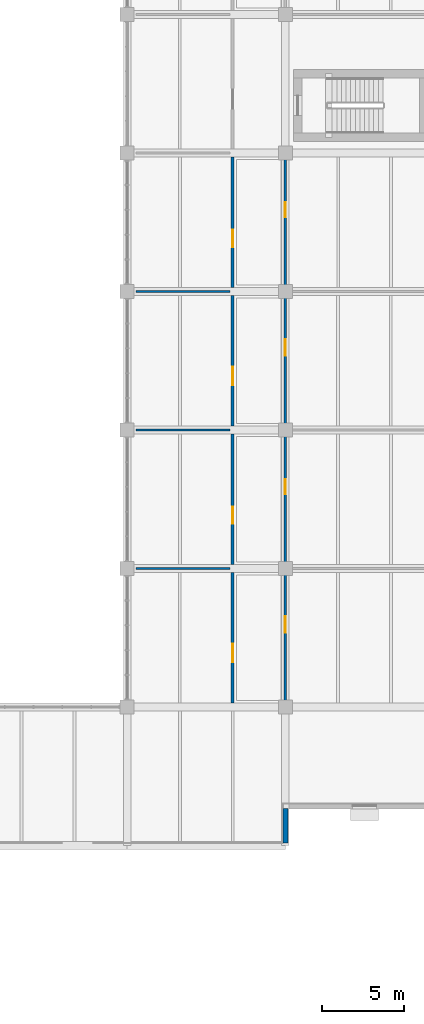
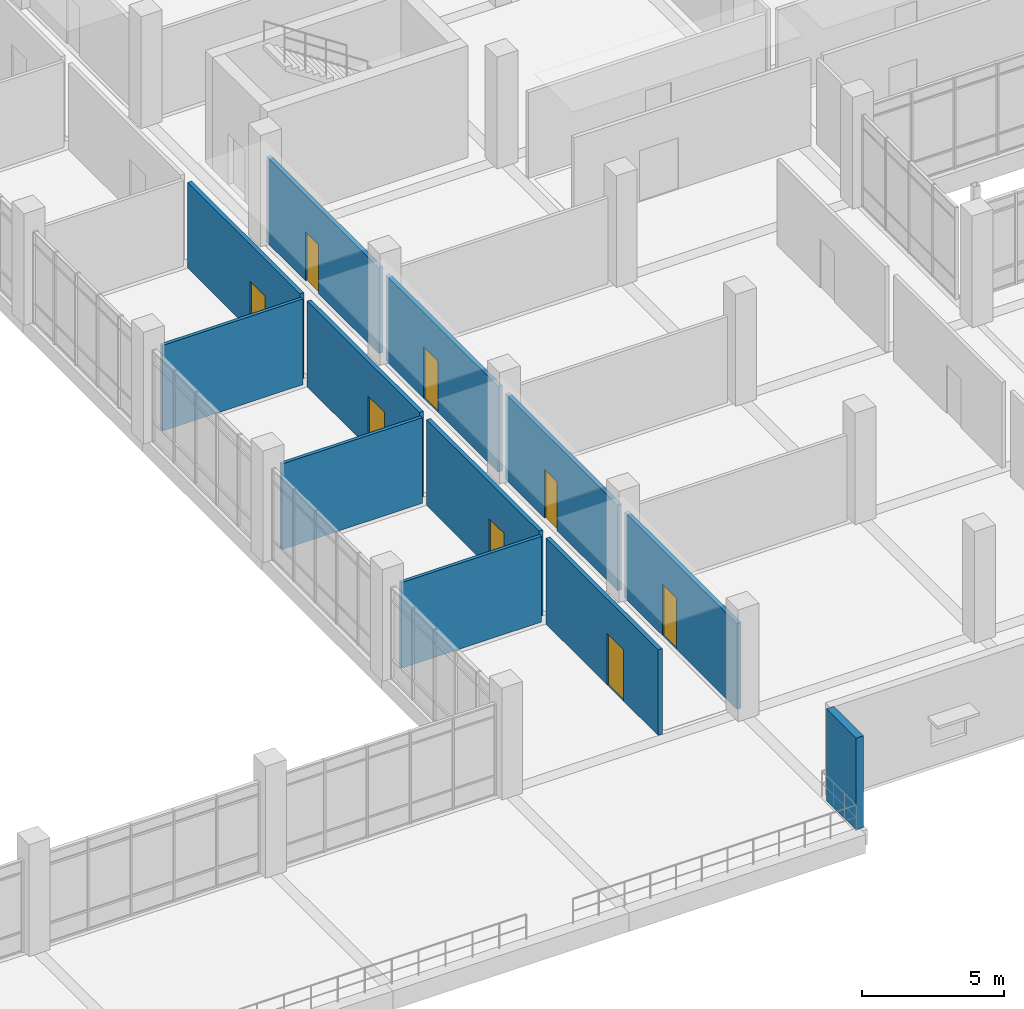
# One storey, part 121 of 152: 12 walls, 8 doors, 8 openings.
"""IFC4 building model written with IfcOpenShell, lengths in metres."""

from ifc_helpers import new_model, si_unit, direction, frame, frame_2d, origin, place, context, subcontext, project, spatial, rectangle, extrude, material, layer, layer_set, type_object, element, fill, save


model = new_model("IFC4")

# Units and contexts
model_context = context("Model", 3, precision=1e-05, world=origin(), true_north=direction((0.0, 1.0)))
body_context = subcontext(model_context, "Body", "Model", "MODEL_VIEW")
ifc_project = project(units=[si_unit("LENGTHUNIT", "METRE"), si_unit("AREAUNIT", "SQUARE_METRE"), si_unit("VOLUMEUNIT", "CUBIC_METRE"), si_unit("PLANEANGLEUNIT", "RADIAN"), si_unit("MASSUNIT", "GRAM", prefix="KILO")], contexts=[model_context])

# Site, building, storey
site_placement = place(None, origin())
site = spatial("IfcSite", under=ifc_project, at=site_placement, CompositionType="ELEMENT")
building_placement = place(site_placement, origin())
building = spatial("IfcBuilding", under=site, at=building_placement, Name="Oolite Switchyard Hospital", CompositionType="ELEMENT")
storey_placement = place(building_placement, frame((0.0, 0.0, 5.10009765625)))
storey = spatial("IfcBuildingStorey", under=building, at=storey_placement, Name="L01", CompositionType="ELEMENT", Elevation=5.10009765625)

# Walls
ifc_material_1 = material(Name="Precast oolitic limestone architectural concrete C40/50", Category="masonry")
ifc_layer_1 = layer(ifc_material_1, 0.300048828125)
ifc_layer_set_1 = layer_set([ifc_layer_1], Name="WAL-EXT-300")
wall_type_1 = type_object("IfcWallType", Name="WAL-EXT-300", PredefinedType="SOLIDWALL", material=ifc_layer_set_1)
wall_1_placement = place(storey_placement, frame((124.800048828125, 27.43994140625, 0.0), z_axis=(0.0, 0.0, 1.0), x_axis=(0.0, -1.0, 0.0)))
element("IfcWall", 1, at=wall_1_placement, inside=storey, type_object=wall_type_1, Name="L01 Exterior Spandrel Wall 113", PredefinedType="SOLIDWALL", context=body_context, shape_type="SweptSolid", body=[
    extrude(rectangle(XDim=2.079833984375, YDim=0.300048828125, at=frame_2d((1.0400390625, 0.0))), origin(), (0.0, 0.0, 1.0), 3.93994140625),
])
ifc_material_2 = material(Name="Moisture-resistant gypsum board on steel studs", Category="steel")
ifc_layer_2 = layer(ifc_material_2, 0.135009765625)
ifc_layer_set_2 = layer_set([ifc_layer_2], Name="WAL-PART-135")
wall_type_2 = type_object("IfcWallType", Name="WAL-PART-135", PredefinedType="PARTITIONING", material=ifc_layer_set_2)
for number, where, z_axis, x_axis, name in (
    (2, (115.75, 42.0, 0.0), (0.0, 0.0, 1.0), (1.0, 0.0, 0.0), "L01 Interior Partition 278"),
    (3, (115.75, 50.39990234375, 0.0), (0.0, 0.0, 1.0), (1.0, 0.0, 0.0), "L01 Interior Partition 282"),
    (4, (115.75, 58.800048828125, 0.0), (0.0, 0.0, 1.0), (1.0, 0.0, 0.0), "L01 Interior Partition 286"),
):
    element("IfcWall", number, at=place(storey_placement, frame(where, z_axis=z_axis, x_axis=x_axis)), inside=storey, type_object=wall_type_2, Name=name, PredefinedType="PARTITIONING", context=body_context, shape_type="SweptSolid", body=[
        extrude(rectangle(XDim=5.699951171875, YDim=0.135009765625, at=frame_2d((2.85009765625, 0.0))), origin(), (0.0, 0.0, 1.0), 3.679931640625),
    ])

# Wall, opening, door
ifc_layer_3 = layer(ifc_material_2, 0.1650390625)
ifc_layer_set_3 = layer_set([ifc_layer_3], Name="WAL-PART-165")
wall_type_3 = type_object("IfcWallType", Name="WAL-PART-165", PredefinedType="PARTITIONING", material=ifc_layer_set_3)
wall_2_placement = place(storey_placement, frame((121.60009765625, 33.85009765625, 0.0), z_axis=(0.0, 0.0, 1.0), x_axis=(0.0, 1.0, 0.0)))
wall_2 = element("IfcWall", 5, at=wall_2_placement, inside=storey, type_object=wall_type_3, Name="L01 Interior Partition 275", PredefinedType="PARTITIONING", context=body_context, shape_type="SweptSolid", body=[
    extrude(rectangle(XDim=7.89990234375, YDim=0.1650390625, at=frame_2d((3.949951171875, 0.0))), origin(), (0.0, 0.0, 1.0), 3.679931640625),
])
opening_1_placement = place(wall_2_placement, frame((2.449951171875, 0.0, 0.0)))
opening_1 = element("IfcOpeningElement", 6, at=opening_1_placement, cuts=wall_2, Name="Opening D-0160", PredefinedType="OPENING", context=body_context, shape_type="SweptSolid", body=[
    extrude(rectangle(XDim=1.14990234375, YDim=2.199951171875, at=frame_2d((0.574951171875, 1.10009765625))), frame((0.0, 0.092529296875, 0.0), z_axis=(0.0, -1.0, 0.0), x_axis=(1.0, 0.0, 0.0)), (0.0, 0.0, 1.0), 0.18505859375),
])
ifc_material_3 = material(Name="Solid-core antimicrobial hardwood leaf in steel frame", Category="steel")
door_type_1 = type_object("IfcDoorType", Name="DR-CLIN-115X220", OperationType="NOTDEFINED", PredefinedType="DOOR", material=ifc_material_3)
door_1_placement = place(opening_1_placement, origin())
door_1 = element("IfcDoor", 7, at=door_1_placement, inside=storey, type_object=door_type_1, Name="L01 Interior Door D-0160", OperationType="SINGLE_SWING_LEFT", OverallHeight=2.199951171875, OverallWidth=1.14990234375, PredefinedType="DOOR", context=body_context, shape_type="SweptSolid", body=[
    extrude(rectangle(XDim=1.14990234375, YDim=2.199951171875, at=frame_2d((0.574951171875, 1.10009765625))), frame((0.0, 0.02490234375, 0.0), z_axis=(0.0, -1.0, 0.0), x_axis=(1.0, 0.0, 0.0)), (0.0, 0.0, 1.0), 0.050048828125),
])
fill(opening_1, door_1)

wall_3_placement = place(storey_placement, frame((124.800048828125, 33.85009765625, 0.0), z_axis=(0.0, 0.0, 1.0), x_axis=(0.0, 1.0, 0.0)))
wall_3 = element("IfcWall", 8, at=wall_3_placement, inside=storey, type_object=wall_type_3, Name="L01 Interior Partition 276", PredefinedType="PARTITIONING", context=body_context, shape_type="SweptSolid", body=[
    extrude(rectangle(XDim=7.89990234375, YDim=0.1650390625, at=frame_2d((3.949951171875, 0.0))), origin(), (0.0, 0.0, 1.0), 3.679931640625),
])
opening_2_placement = place(wall_3_placement, frame((4.25, 0.0, 0.0)))
opening_2 = element("IfcOpeningElement", 9, at=opening_2_placement, cuts=wall_3, Name="Opening D-0161", PredefinedType="OPENING", context=body_context, shape_type="SweptSolid", body=[
    extrude(rectangle(XDim=1.0, YDim=2.199951171875, at=frame_2d((0.5, 1.10009765625))), frame((0.0, 0.092529296875, 0.0), z_axis=(0.0, -1.0, 0.0), x_axis=(1.0, 0.0, 0.0)), (0.0, 0.0, 1.0), 0.18505859375),
])
door_type_2 = type_object("IfcDoorType", Name="DR-OFF-100X220", OperationType="NOTDEFINED", PredefinedType="DOOR", material=ifc_material_3)
door_2_placement = place(opening_2_placement, origin())
door_2 = element("IfcDoor", 10, at=door_2_placement, inside=storey, type_object=door_type_2, Name="L01 Interior Door D-0161", OperationType="SINGLE_SWING_RIGHT", OverallHeight=2.199951171875, OverallWidth=1.0, PredefinedType="DOOR", context=body_context, shape_type="SweptSolid", body=[
    extrude(rectangle(XDim=1.0, YDim=2.199951171875, at=frame_2d((0.5, 1.10009765625))), frame((0.0, 0.02490234375, 0.0), z_axis=(0.0, -1.0, 0.0), x_axis=(1.0, 0.0, 0.0)), (0.0, 0.0, 1.0), 0.050048828125),
])
fill(opening_2, door_2)

wall_4_placement = place(storey_placement, frame((121.60009765625, 42.25, 0.0), z_axis=(0.0, 0.0, 1.0), x_axis=(0.0, 1.0, 0.0)))
wall_4 = element("IfcWall", 11, at=wall_4_placement, inside=storey, type_object=wall_type_3, Name="L01 Interior Partition 277", PredefinedType="PARTITIONING", context=body_context, shape_type="SweptSolid", body=[
    extrude(rectangle(XDim=7.89990234375, YDim=0.1650390625, at=frame_2d((3.949951171875, 0.0))), origin(), (0.0, 0.0, 1.0), 3.679931640625),
])
opening_3_placement = place(wall_4_placement, frame((2.449951171875, 0.0, 0.0)))
opening_3 = element("IfcOpeningElement", 12, at=opening_3_placement, cuts=wall_4, Name="Opening D-0162", PredefinedType="OPENING", context=body_context, shape_type="SweptSolid", body=[
    extrude(rectangle(XDim=1.050048828125, YDim=2.10009765625, at=frame_2d((0.52490234375, 1.050048828125))), frame((0.0, 0.092529296875, 0.0), z_axis=(0.0, -1.0, 0.0), x_axis=(1.0, 0.0, 0.0)), (0.0, 0.0, 1.0), 0.18505859375),
])
door_type_3 = type_object("IfcDoorType", Name="DR-EXAM-105X210", OperationType="NOTDEFINED", PredefinedType="DOOR", material=ifc_material_3)
door_3_placement = place(opening_3_placement, origin())
door_3 = element("IfcDoor", 13, at=door_3_placement, inside=storey, type_object=door_type_3, Name="L01 Interior Door D-0162", OperationType="SINGLE_SWING_RIGHT", OverallHeight=2.10009765625, OverallWidth=1.050048828125, PredefinedType="DOOR", context=body_context, shape_type="SweptSolid", body=[
    extrude(rectangle(XDim=1.050048828125, YDim=2.10009765625, at=frame_2d((0.52490234375, 1.050048828125))), frame((0.0, 0.02490234375, 0.0), z_axis=(0.0, -1.0, 0.0), x_axis=(1.0, 0.0, 0.0)), (0.0, 0.0, 1.0), 0.050048828125),
])
fill(opening_3, door_3)

wall_5_placement = place(storey_placement, frame((124.800048828125, 42.25, 0.0), z_axis=(0.0, 0.0, 1.0), x_axis=(0.0, 1.0, 0.0)))
wall_5 = element("IfcWall", 14, at=wall_5_placement, inside=storey, type_object=wall_type_3, Name="L01 Interior Partition 279", PredefinedType="PARTITIONING", context=body_context, shape_type="SweptSolid", body=[
    extrude(rectangle(XDim=7.89990234375, YDim=0.1650390625, at=frame_2d((3.949951171875, 0.0))), origin(), (0.0, 0.0, 1.0), 3.679931640625),
])
opening_4_placement = place(wall_5_placement, frame((4.25, 0.0, 0.0)))
opening_4 = element("IfcOpeningElement", 15, at=opening_4_placement, cuts=wall_5, Name="Opening D-0163", PredefinedType="OPENING", context=body_context, shape_type="SweptSolid", body=[
    extrude(rectangle(XDim=0.89990234375, YDim=2.10009765625, at=frame_2d((0.449951171875, 1.050048828125))), frame((0.0, 0.092529296875, 0.0), z_axis=(0.0, -1.0, 0.0), x_axis=(1.0, 0.0, 0.0)), (0.0, 0.0, 1.0), 0.18505859375),
])
door_type_4 = type_object("IfcDoorType", Name="DR-BATH-090X210", OperationType="NOTDEFINED", PredefinedType="DOOR", material=ifc_material_3)
door_4_placement = place(opening_4_placement, origin())
door_4 = element("IfcDoor", 16, at=door_4_placement, inside=storey, type_object=door_type_4, Name="L01 Interior Door D-0163", OperationType="SINGLE_SWING_LEFT", OverallHeight=2.10009765625, OverallWidth=0.89990234375, PredefinedType="DOOR", context=body_context, shape_type="SweptSolid", body=[
    extrude(rectangle(XDim=0.89990234375, YDim=2.10009765625, at=frame_2d((0.449951171875, 1.050048828125))), frame((0.0, 0.02490234375, 0.0), z_axis=(0.0, -1.0, 0.0), x_axis=(1.0, 0.0, 0.0)), (0.0, 0.0, 1.0), 0.050048828125),
])
fill(opening_4, door_4)

wall_6_placement = place(storey_placement, frame((121.60009765625, 50.64990234375, 0.0), z_axis=(0.0, 0.0, 1.0), x_axis=(0.0, 1.0, 0.0)))
wall_6 = element("IfcWall", 17, at=wall_6_placement, inside=storey, type_object=wall_type_3, Name="L01 Interior Partition 281", PredefinedType="PARTITIONING", context=body_context, shape_type="SweptSolid", body=[
    extrude(rectangle(XDim=7.900146484375, YDim=0.1650390625, at=frame_2d((3.9501953125, 0.0))), origin(), (0.0, 0.0, 1.0), 3.679931640625),
])
opening_5_placement = place(wall_6_placement, frame((2.449951171875, 0.0, 0.0)))
opening_5 = element("IfcOpeningElement", 18, at=opening_5_placement, cuts=wall_6, Name="Opening D-0164", PredefinedType="OPENING", context=body_context, shape_type="SweptSolid", body=[
    extrude(rectangle(XDim=1.14990234375, YDim=2.199951171875, at=frame_2d((0.574951171875, 1.10009765625))), frame((0.0, 0.092529296875, 0.0), z_axis=(0.0, -1.0, 0.0), x_axis=(1.0, 0.0, 0.0)), (0.0, 0.0, 1.0), 0.18505859375),
])
door_5_placement = place(opening_5_placement, origin())
door_5 = element("IfcDoor", 19, at=door_5_placement, inside=storey, type_object=door_type_1, Name="L01 Interior Door D-0164", OperationType="SINGLE_SWING_LEFT", OverallHeight=2.199951171875, OverallWidth=1.14990234375, PredefinedType="DOOR", context=body_context, shape_type="SweptSolid", body=[
    extrude(rectangle(XDim=1.14990234375, YDim=2.199951171875, at=frame_2d((0.574951171875, 1.10009765625))), frame((0.0, 0.02490234375, 0.0), z_axis=(0.0, -1.0, 0.0), x_axis=(1.0, 0.0, 0.0)), (0.0, 0.0, 1.0), 0.050048828125),
])
fill(opening_5, door_5)

wall_7_placement = place(storey_placement, frame((124.800048828125, 50.64990234375, 0.0), z_axis=(0.0, 0.0, 1.0), x_axis=(0.0, 1.0, 0.0)))
wall_7 = element("IfcWall", 20, at=wall_7_placement, inside=storey, type_object=wall_type_3, Name="L01 Interior Partition 283", PredefinedType="PARTITIONING", context=body_context, shape_type="SweptSolid", body=[
    extrude(rectangle(XDim=7.900146484375, YDim=0.1650390625, at=frame_2d((3.9501953125, 0.0))), origin(), (0.0, 0.0, 1.0), 3.679931640625),
])
opening_6_placement = place(wall_7_placement, frame((4.25, 0.0, 0.0)))
opening_6 = element("IfcOpeningElement", 21, at=opening_6_placement, cuts=wall_7, Name="Opening D-0165", PredefinedType="OPENING", context=body_context, shape_type="SweptSolid", body=[
    extrude(rectangle(XDim=1.0, YDim=2.199951171875, at=frame_2d((0.5, 1.10009765625))), frame((0.0, 0.092529296875, 0.0), z_axis=(0.0, -1.0, 0.0), x_axis=(1.0, 0.0, 0.0)), (0.0, 0.0, 1.0), 0.18505859375),
])
door_6_placement = place(opening_6_placement, origin())
door_6 = element("IfcDoor", 22, at=door_6_placement, inside=storey, type_object=door_type_2, Name="L01 Interior Door D-0165", OperationType="SINGLE_SWING_RIGHT", OverallHeight=2.199951171875, OverallWidth=1.0, PredefinedType="DOOR", context=body_context, shape_type="SweptSolid", body=[
    extrude(rectangle(XDim=1.0, YDim=2.199951171875, at=frame_2d((0.5, 1.10009765625))), frame((0.0, 0.02490234375, 0.0), z_axis=(0.0, -1.0, 0.0), x_axis=(1.0, 0.0, 0.0)), (0.0, 0.0, 1.0), 0.050048828125),
])
fill(opening_6, door_6)

wall_8_placement = place(storey_placement, frame((121.60009765625, 59.050048828125, 0.0), z_axis=(0.0, 0.0, 1.0), x_axis=(0.0, 1.0, 0.0)))
wall_8 = element("IfcWall", 23, at=wall_8_placement, inside=storey, type_object=wall_type_3, Name="L01 Interior Partition 285", PredefinedType="PARTITIONING", context=body_context, shape_type="SweptSolid", body=[
    extrude(rectangle(XDim=7.89990234375, YDim=0.1650390625, at=frame_2d((3.949951171875, 0.0))), origin(), (0.0, 0.0, 1.0), 3.679931640625),
])
opening_7_placement = place(wall_8_placement, frame((2.449951171875, 0.0, 0.0)))
opening_7 = element("IfcOpeningElement", 24, at=opening_7_placement, cuts=wall_8, Name="Opening D-0166", PredefinedType="OPENING", context=body_context, shape_type="SweptSolid", body=[
    extrude(rectangle(XDim=1.050048828125, YDim=2.10009765625, at=frame_2d((0.52490234375, 1.050048828125))), frame((0.0, 0.092529296875, 0.0), z_axis=(0.0, -1.0, 0.0), x_axis=(1.0, 0.0, 0.0)), (0.0, 0.0, 1.0), 0.18505859375),
])
door_7_placement = place(opening_7_placement, origin())
door_7 = element("IfcDoor", 25, at=door_7_placement, inside=storey, type_object=door_type_3, Name="L01 Interior Door D-0166", OperationType="SINGLE_SWING_RIGHT", OverallHeight=2.10009765625, OverallWidth=1.050048828125, PredefinedType="DOOR", context=body_context, shape_type="SweptSolid", body=[
    extrude(rectangle(XDim=1.050048828125, YDim=2.10009765625, at=frame_2d((0.52490234375, 1.050048828125))), frame((0.0, 0.02490234375, 0.0), z_axis=(0.0, -1.0, 0.0), x_axis=(1.0, 0.0, 0.0)), (0.0, 0.0, 1.0), 0.050048828125),
])
fill(opening_7, door_7)

wall_9_placement = place(storey_placement, frame((124.800048828125, 59.050048828125, 0.0), z_axis=(0.0, 0.0, 1.0), x_axis=(0.0, 1.0, 0.0)))
wall_9 = element("IfcWall", 26, at=wall_9_placement, inside=storey, type_object=wall_type_3, Name="L01 Interior Partition 287", PredefinedType="PARTITIONING", context=body_context, shape_type="SweptSolid", body=[
    extrude(rectangle(XDim=7.89990234375, YDim=0.1650390625, at=frame_2d((3.949951171875, 0.0))), origin(), (0.0, 0.0, 1.0), 3.679931640625),
])
opening_8_placement = place(wall_9_placement, frame((4.25, 0.0, 0.0)))
opening_8 = element("IfcOpeningElement", 27, at=opening_8_placement, cuts=wall_9, Name="Opening D-0167", PredefinedType="OPENING", context=body_context, shape_type="SweptSolid", body=[
    extrude(rectangle(XDim=0.89990234375, YDim=2.10009765625, at=frame_2d((0.449951171875, 1.050048828125))), frame((0.0, 0.092529296875, 0.0), z_axis=(0.0, -1.0, 0.0), x_axis=(1.0, 0.0, 0.0)), (0.0, 0.0, 1.0), 0.18505859375),
])
door_8_placement = place(opening_8_placement, origin())
door_8 = element("IfcDoor", 28, at=door_8_placement, inside=storey, type_object=door_type_4, Name="L01 Interior Door D-0167", OperationType="SINGLE_SWING_LEFT", OverallHeight=2.10009765625, OverallWidth=0.89990234375, PredefinedType="DOOR", context=body_context, shape_type="SweptSolid", body=[
    extrude(rectangle(XDim=0.89990234375, YDim=2.10009765625, at=frame_2d((0.449951171875, 1.050048828125))), frame((0.0, 0.02490234375, 0.0), z_axis=(0.0, -1.0, 0.0), x_axis=(1.0, 0.0, 0.0)), (0.0, 0.0, 1.0), 0.050048828125),
])
fill(opening_8, door_8)

save(model, "model.ifc")
